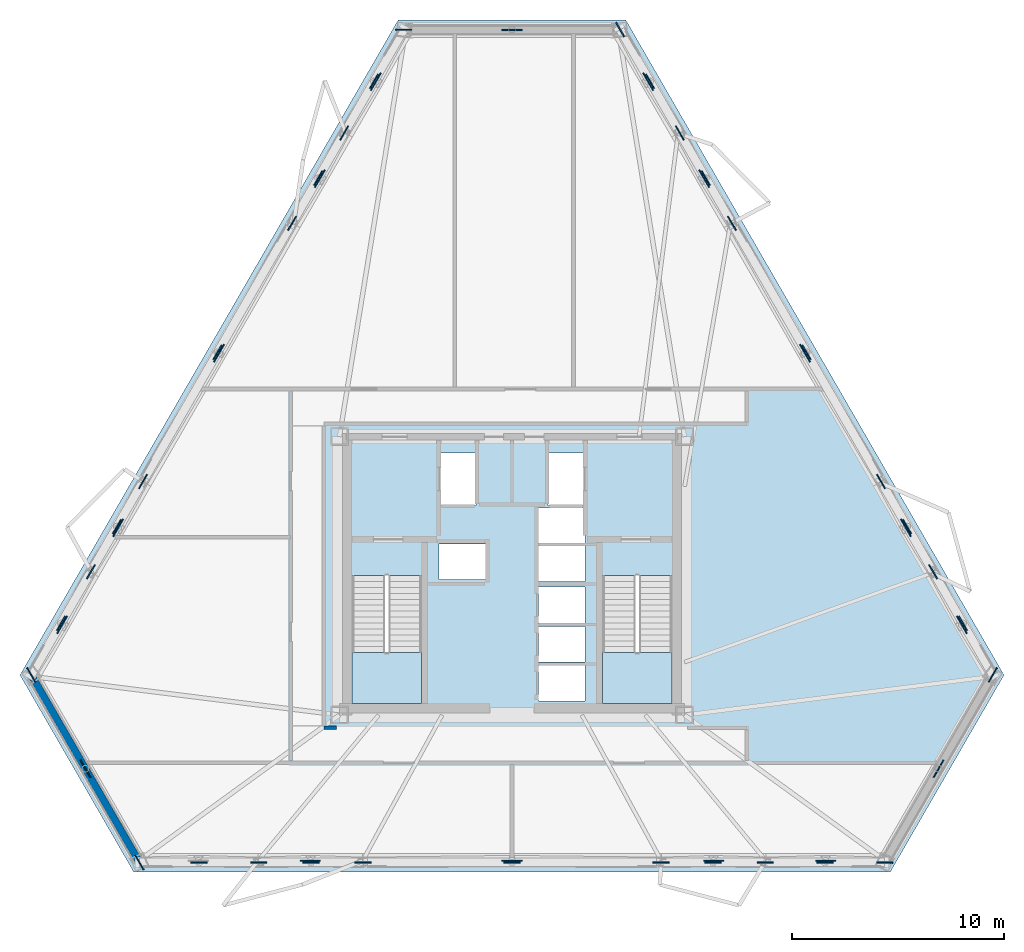
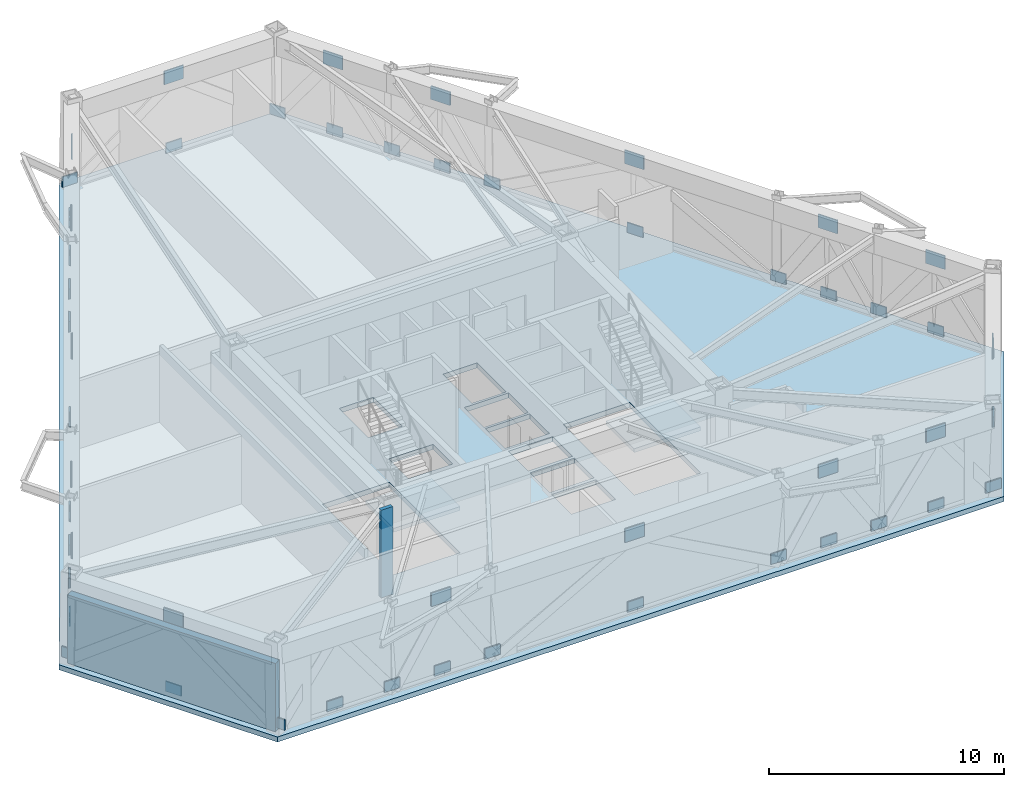
# One storey, part 6 of 11: 53 plates, 3 slabs, 2 walls, 2 elements without a shape of their own.
"""IFC4 building model written with IfcOpenShell, lengths in metres."""

from ifc_helpers import new_model, si_unit, direction, frame, frame_2d, origin, origin_2d, place, context, subcontext, project, spatial, polyline, rectangle, outline, extrude, material, layer, layer_set, type_object, element, aggregate, save


model = new_model("IFC4")

# Units and contexts
model_context = context("Model", 3, precision=1e-05, world=origin(), true_north=direction((0.0, 1.0)))
body_context = subcontext(model_context, "Body", "Model", "MODEL_VIEW")
ifc_project = project(units=[si_unit("LENGTHUNIT", "METRE"), si_unit("AREAUNIT", "SQUARE_METRE"), si_unit("VOLUMEUNIT", "CUBIC_METRE"), si_unit("PLANEANGLEUNIT", "RADIAN"), si_unit("MASSUNIT", "GRAM", prefix="KILO")], contexts=[model_context])

# Site, building, storey
site_placement = place(None, origin())
site = spatial("IfcSite", under=ifc_project, at=site_placement, CompositionType="ELEMENT")
building_placement = place(site_placement, origin())
building = spatial("IfcBuilding", under=site, at=building_placement, Name="Oramaril Tower", CompositionType="ELEMENT")
storey_placement = place(building_placement, frame((0.0, 0.0, 133.800048828125)))
storey = spatial("IfcBuildingStorey", under=building, at=storey_placement, Name="L35", CompositionType="ELEMENT", Elevation=133.800048828125)

# Plates
ifc_material_1 = material(Name="Steel ASTM A572 Gr 50", Category="steel")
ifc_layer_1 = layer(ifc_material_1, 0.06005859375)
ifc_layer_set_1 = layer_set([ifc_layer_1], Name="PLT-G60")
plate_type = type_object("IfcPlateType", Name="PLT-G60", PredefinedType="USERDEFINED", material=ifc_layer_set_1)
plate_1_placement = place(storey_placement, frame((17.356689453125, 8.47021484375, 3.7099609375), z_axis=(0.0, 0.0, 1.0), x_axis=(0.499996976998, -0.866027149108, 0.0)))
element("IfcPlate", 1, at=plate_1_placement, inside=storey, type_object=plate_type, Name="L35 Truss Top Gusset Node KN-35A", ObjectType="GUSSET", PredefinedType="USERDEFINED", context=body_context, shape_type="SweptSolid", body=[
    extrude(rectangle(XDim=0.949951171875, YDim=0.06005859375, at=origin_2d()), origin(), (0.0, 0.0, 1.0), 0.699951171875),
])
plate_2_placement = place(storey_placement, frame((17.3486328125, 8.465576171875, 0.10986328125), z_axis=(0.0, 0.0, 1.0), x_axis=(0.499996976998, -0.866027149108, 0.0)))
element("IfcPlate", 2, at=plate_2_placement, inside=storey, type_object=plate_type, Name="L35 Truss Mid-Chord Gusset Node KN-35A", ObjectType="GUSSET", PredefinedType="USERDEFINED", context=body_context, shape_type="SweptSolid", body=[
    extrude(rectangle(XDim=0.780029296875, YDim=0.06005859375, at=origin_2d()), origin(), (0.0, 0.0, 1.0), 0.52001953125),
])
for number, where, z_axis, x_axis, name in (
    (3, (14.7939453125, 12.890380859375, 0.119873046875), (0.0, 0.0, 1.0), (0.499996976998, -0.866027149108, 0.0), "L35 Truss Base Gusset Node KN-35A"),
    (4, (19.9033203125, 4.040771484375, 0.119873046875), (0.0, 0.0, 1.0), (0.499996976998, -0.866027149108, 0.0), "L35 Truss Base Gusset Node KN-35A"),
):
    element("IfcPlate", number, at=place(storey_placement, frame(where, z_axis=z_axis, x_axis=x_axis)), inside=storey, type_object=plate_type, Name=name, ObjectType="GUSSET", PredefinedType="USERDEFINED", context=body_context, shape_type="SweptSolid", body=[
        extrude(rectangle(XDim=0.760009765625, YDim=0.06005859375, at=origin_2d()), origin(), (0.0, 0.0, 1.0), 0.5400390625),
    ])
plate_3_placement = place(storey_placement, frame((22.71875, 4.040771484375, 0.10986328125), z_axis=(0.0, 0.0, 1.0), x_axis=(1.0, 0.0, 0.0)))
element("IfcPlate", 5, at=plate_3_placement, inside=storey, type_object=plate_type, Name="L35 Truss Mid-Chord Gusset Node KN-35A", ObjectType="GUSSET", PredefinedType="USERDEFINED", context=body_context, shape_type="SweptSolid", body=[
    extrude(rectangle(XDim=0.780029296875, YDim=0.06005859375, at=origin_2d()), origin(), (0.0, 0.0, 1.0), 0.52001953125),
])
plate_4_placement = place(storey_placement, frame((25.5341796875, 4.040771484375, 0.119873046875), z_axis=(0.0, 0.0, 1.0), x_axis=(1.0, 0.0, 0.0)))
element("IfcPlate", 6, at=plate_4_placement, inside=storey, type_object=plate_type, Name="L35 Truss Base Gusset Node KN-35A", ObjectType="GUSSET", PredefinedType="USERDEFINED", context=body_context, shape_type="SweptSolid", body=[
    extrude(rectangle(XDim=0.760009765625, YDim=0.06005859375, at=origin_2d()), origin(), (0.0, 0.0, 1.0), 0.5400390625),
])
plate_5_placement = place(storey_placement, frame((27.978759765625, 4.120849609375, 3.7099609375), z_axis=(0.0, 0.0, 1.0), x_axis=(1.0, 0.0, 0.0)))
element("IfcPlate", 7, at=plate_5_placement, inside=storey, type_object=plate_type, Name="L35 Truss Top Gusset Node KN-35A", ObjectType="GUSSET", PredefinedType="USERDEFINED", context=body_context, shape_type="SweptSolid", body=[
    extrude(rectangle(XDim=0.949951171875, YDim=0.06005859375, at=origin_2d()), origin(), (0.0, 0.0, 1.0), 0.699951171875),
])
plate_6_placement = place(storey_placement, frame((27.997802734375, 4.040771484375, 0.10986328125), z_axis=(0.0, 0.0, 1.0), x_axis=(1.0, 0.0, 0.0)))
element("IfcPlate", 8, at=plate_6_placement, inside=storey, type_object=plate_type, Name="L35 Truss Mid-Chord Gusset Node KN-35A", ObjectType="GUSSET", PredefinedType="USERDEFINED", context=body_context, shape_type="SweptSolid", body=[
    extrude(rectangle(XDim=0.780029296875, YDim=0.06005859375, at=origin_2d()), origin(), (0.0, 0.0, 1.0), 0.52001953125),
])
plate_7_placement = place(storey_placement, frame((30.461181640625, 4.040771484375, 0.119873046875), z_axis=(0.0, 0.0, 1.0), x_axis=(1.0, 0.0, 0.0)))
element("IfcPlate", 9, at=plate_7_placement, inside=storey, type_object=plate_type, Name="L35 Truss Base Gusset Node KN-35A", ObjectType="GUSSET", PredefinedType="USERDEFINED", context=body_context, shape_type="SweptSolid", body=[
    extrude(rectangle(XDim=0.760009765625, YDim=0.06005859375, at=origin_2d()), origin(), (0.0, 0.0, 1.0), 0.5400390625),
])
plate_8_placement = place(storey_placement, frame((37.5, 4.120849609375, 3.7099609375), z_axis=(0.0, 0.0, 1.0), x_axis=(1.0, 0.0, 0.0)))
element("IfcPlate", 10, at=plate_8_placement, inside=storey, type_object=plate_type, Name="L35 Truss Top Gusset Node KN-35A", ObjectType="GUSSET", PredefinedType="USERDEFINED", context=body_context, shape_type="SweptSolid", body=[
    extrude(rectangle(XDim=0.949951171875, YDim=0.06005859375, at=origin_2d()), origin(), (0.0, 0.0, 1.0), 0.699951171875),
])
plate_9_placement = place(storey_placement, frame((37.5, 4.040771484375, 0.10986328125), z_axis=(0.0, 0.0, 1.0), x_axis=(1.0, 0.0, 0.0)))
element("IfcPlate", 11, at=plate_9_placement, inside=storey, type_object=plate_type, Name="L35 Truss Mid-Chord Gusset Node KN-35A", ObjectType="GUSSET", PredefinedType="USERDEFINED", context=body_context, shape_type="SweptSolid", body=[
    extrude(rectangle(XDim=0.780029296875, YDim=0.06005859375, at=origin_2d()), origin(), (0.0, 0.0, 1.0), 0.52001953125),
])
plate_10_placement = place(storey_placement, frame((44.538818359375, 4.040771484375, 0.119873046875), z_axis=(0.0, 0.0, 1.0), x_axis=(1.0, 0.0, 0.0)))
element("IfcPlate", 12, at=plate_10_placement, inside=storey, type_object=plate_type, Name="L35 Truss Base Gusset Node KN-35A", ObjectType="GUSSET", PredefinedType="USERDEFINED", context=body_context, shape_type="SweptSolid", body=[
    extrude(rectangle(XDim=0.760009765625, YDim=0.06005859375, at=origin_2d()), origin(), (0.0, 0.0, 1.0), 0.5400390625),
])
plate_11_placement = place(storey_placement, frame((47.021240234375, 4.120849609375, 3.7099609375), z_axis=(0.0, 0.0, 1.0), x_axis=(1.0, 0.0, 0.0)))
element("IfcPlate", 13, at=plate_11_placement, inside=storey, type_object=plate_type, Name="L35 Truss Top Gusset Node KN-35A", ObjectType="GUSSET", PredefinedType="USERDEFINED", context=body_context, shape_type="SweptSolid", body=[
    extrude(rectangle(XDim=0.949951171875, YDim=0.06005859375, at=origin_2d()), origin(), (0.0, 0.0, 1.0), 0.699951171875),
])
plate_12_placement = place(storey_placement, frame((47.002197265625, 4.040771484375, 0.10986328125), z_axis=(0.0, 0.0, 1.0), x_axis=(1.0, 0.0, 0.0)))
element("IfcPlate", 14, at=plate_12_placement, inside=storey, type_object=plate_type, Name="L35 Truss Mid-Chord Gusset Node KN-35A", ObjectType="GUSSET", PredefinedType="USERDEFINED", context=body_context, shape_type="SweptSolid", body=[
    extrude(rectangle(XDim=0.780029296875, YDim=0.06005859375, at=origin_2d()), origin(), (0.0, 0.0, 1.0), 0.52001953125),
])
plate_13_placement = place(storey_placement, frame((49.4658203125, 4.040771484375, 0.119873046875), z_axis=(0.0, 0.0, 1.0), x_axis=(1.0, 0.0, 0.0)))
element("IfcPlate", 15, at=plate_13_placement, inside=storey, type_object=plate_type, Name="L35 Truss Base Gusset Node KN-35A", ObjectType="GUSSET", PredefinedType="USERDEFINED", context=body_context, shape_type="SweptSolid", body=[
    extrude(rectangle(XDim=0.760009765625, YDim=0.06005859375, at=origin_2d()), origin(), (0.0, 0.0, 1.0), 0.5400390625),
])
plate_14_placement = place(storey_placement, frame((52.31103515625, 4.120849609375, 3.7099609375), z_axis=(0.0, 0.0, 1.0), x_axis=(1.0, 0.0, 0.0)))
element("IfcPlate", 16, at=plate_14_placement, inside=storey, type_object=plate_type, Name="L35 Truss Top Gusset Node KN-35A", ObjectType="GUSSET", PredefinedType="USERDEFINED", context=body_context, shape_type="SweptSolid", body=[
    extrude(rectangle(XDim=0.949951171875, YDim=0.06005859375, at=origin_2d()), origin(), (0.0, 0.0, 1.0), 0.699951171875),
])
plate_15_placement = place(storey_placement, frame((52.28125, 4.040771484375, 0.10986328125), z_axis=(0.0, 0.0, 1.0), x_axis=(1.0, 0.0, 0.0)))
element("IfcPlate", 17, at=plate_15_placement, inside=storey, type_object=plate_type, Name="L35 Truss Mid-Chord Gusset Node KN-35A", ObjectType="GUSSET", PredefinedType="USERDEFINED", context=body_context, shape_type="SweptSolid", body=[
    extrude(rectangle(XDim=0.780029296875, YDim=0.06005859375, at=origin_2d()), origin(), (0.0, 0.0, 1.0), 0.52001953125),
])
plate_16_placement = place(storey_placement, frame((55.0966796875, 4.040771484375, 0.119873046875), z_axis=(0.0, 0.0, 1.0), x_axis=(1.0, 0.0, 0.0)))
element("IfcPlate", 18, at=plate_16_placement, inside=storey, type_object=plate_type, Name="L35 Truss Base Gusset Node KN-35A", ObjectType="GUSSET", PredefinedType="USERDEFINED", context=body_context, shape_type="SweptSolid", body=[
    extrude(rectangle(XDim=0.760009765625, YDim=0.06005859375, at=origin_2d()), origin(), (0.0, 0.0, 1.0), 0.5400390625),
])
plate_17_placement = place(storey_placement, frame((57.643310546875, 8.47021484375, 3.7099609375), z_axis=(0.0, 0.0, 1.0), x_axis=(0.499996976998, 0.866027149108, 0.0)))
element("IfcPlate", 19, at=plate_17_placement, inside=storey, type_object=plate_type, Name="L35 Truss Top Gusset Node KN-35B", ObjectType="GUSSET", PredefinedType="USERDEFINED", context=body_context, shape_type="SweptSolid", body=[
    extrude(rectangle(XDim=0.949951171875, YDim=0.06005859375, at=origin_2d()), origin(), (0.0, 0.0, 1.0), 0.699951171875),
])
plate_18_placement = place(storey_placement, frame((57.6513671875, 8.465576171875, 0.10986328125), z_axis=(0.0, 0.0, 1.0), x_axis=(0.499996976998, 0.866027149108, 0.0)))
element("IfcPlate", 20, at=plate_18_placement, inside=storey, type_object=plate_type, Name="L35 Truss Mid-Chord Gusset Node KN-35B", ObjectType="GUSSET", PredefinedType="USERDEFINED", context=body_context, shape_type="SweptSolid", body=[
    extrude(rectangle(XDim=0.780029296875, YDim=0.06005859375, at=origin_2d()), origin(), (0.0, 0.0, 1.0), 0.52001953125),
])
plate_19_placement = place(storey_placement, frame((60.2060546875, 12.890380859375, 0.119873046875), z_axis=(0.0, 0.0, 1.0), x_axis=(0.499996976998, 0.866027149108, 0.0)))
element("IfcPlate", 21, at=plate_19_placement, inside=storey, type_object=plate_type, Name="L35 Truss Base Gusset Node KN-35B", ObjectType="GUSSET", PredefinedType="USERDEFINED", context=body_context, shape_type="SweptSolid", body=[
    extrude(rectangle(XDim=0.760009765625, YDim=0.06005859375, at=origin_2d()), origin(), (0.0, 0.0, 1.0), 0.5400390625),
])
plate_20_placement = place(storey_placement, frame((58.743896484375, 15.262939453125, 3.7099609375), z_axis=(0.0, 0.0, 1.0), x_axis=(-0.500007557478, 0.866021040428, 0.0)))
element("IfcPlate", 22, at=plate_20_placement, inside=storey, type_object=plate_type, Name="L35 Truss Top Gusset Node KN-35B", ObjectType="GUSSET", PredefinedType="USERDEFINED", context=body_context, shape_type="SweptSolid", body=[
    extrude(rectangle(XDim=0.949951171875, YDim=0.06005859375, at=origin_2d()), origin(), (0.0, 0.0, 1.0), 0.699951171875),
])
plate_21_placement = place(storey_placement, frame((58.79833984375, 15.32861328125, 0.10986328125), z_axis=(0.0, 0.0, 1.0), x_axis=(-0.500007557478, 0.866021040428, 0.0)))
element("IfcPlate", 23, at=plate_21_placement, inside=storey, type_object=plate_type, Name="L35 Truss Mid-Chord Gusset Node KN-35B", ObjectType="GUSSET", PredefinedType="USERDEFINED", context=body_context, shape_type="SweptSolid", body=[
    extrude(rectangle(XDim=0.780029296875, YDim=0.06005859375, at=origin_2d()), origin(), (0.0, 0.0, 1.0), 0.52001953125),
])
plate_22_placement = place(storey_placement, frame((57.390625, 17.76708984375, 0.119873046875), z_axis=(0.0, 0.0, 1.0), x_axis=(-0.500007557478, 0.866021040428, 0.0)))
element("IfcPlate", 24, at=plate_22_placement, inside=storey, type_object=plate_type, Name="L35 Truss Base Gusset Node KN-35B", ObjectType="GUSSET", PredefinedType="USERDEFINED", context=body_context, shape_type="SweptSolid", body=[
    extrude(rectangle(XDim=0.760009765625, YDim=0.06005859375, at=origin_2d()), origin(), (0.0, 0.0, 1.0), 0.5400390625),
])
plate_23_placement = place(storey_placement, frame((56.09912109375, 19.843994140625, 3.7099609375), z_axis=(0.0, 0.0, 1.0), x_axis=(-0.499992442484, 0.866029767075, 0.0)))
element("IfcPlate", 25, at=plate_23_placement, inside=storey, type_object=plate_type, Name="L35 Truss Top Gusset Node KN-35B", ObjectType="GUSSET", PredefinedType="USERDEFINED", context=body_context, shape_type="SweptSolid", body=[
    extrude(rectangle(XDim=0.949951171875, YDim=0.06005859375, at=origin_2d()), origin(), (0.0, 0.0, 1.0), 0.699951171875),
])
plate_24_placement = place(storey_placement, frame((56.158935546875, 19.900390625, 0.10986328125), z_axis=(0.0, 0.0, 1.0), x_axis=(-0.499992442484, 0.866029767075, 0.0)))
element("IfcPlate", 26, at=plate_24_placement, inside=storey, type_object=plate_type, Name="L35 Truss Mid-Chord Gusset Node KN-35B", ObjectType="GUSSET", PredefinedType="USERDEFINED", context=body_context, shape_type="SweptSolid", body=[
    extrude(rectangle(XDim=0.780029296875, YDim=0.06005859375, at=origin_2d()), origin(), (0.0, 0.0, 1.0), 0.52001953125),
])
plate_25_placement = place(storey_placement, frame((54.927001953125, 22.033935546875, 0.119873046875), z_axis=(0.0, 0.0, 1.0), x_axis=(-0.499992442484, 0.866029767075, 0.0)))
element("IfcPlate", 27, at=plate_25_placement, inside=storey, type_object=plate_type, Name="L35 Truss Base Gusset Node KN-35B", ObjectType="GUSSET", PredefinedType="USERDEFINED", context=body_context, shape_type="SweptSolid", body=[
    extrude(rectangle(XDim=0.760009765625, YDim=0.06005859375, at=origin_2d()), origin(), (0.0, 0.0, 1.0), 0.5400390625),
])
plate_26_placement = place(storey_placement, frame((51.33837890625, 28.089599609375, 3.7099609375), z_axis=(0.0, 0.0, 1.0), x_axis=(-0.500003022996, 0.86602365845, 0.0)))
element("IfcPlate", 28, at=plate_26_placement, inside=storey, type_object=plate_type, Name="L35 Truss Top Gusset Node KN-35B", ObjectType="GUSSET", PredefinedType="USERDEFINED", context=body_context, shape_type="SweptSolid", body=[
    extrude(rectangle(XDim=0.949951171875, YDim=0.06005859375, at=origin_2d()), origin(), (0.0, 0.0, 1.0), 0.699951171875),
])
plate_27_placement = place(storey_placement, frame((51.40771484375, 28.129638671875, 0.10986328125), z_axis=(0.0, 0.0, 1.0), x_axis=(-0.500003022996, 0.86602365845, 0.0)))
element("IfcPlate", 29, at=plate_27_placement, inside=storey, type_object=plate_type, Name="L35 Truss Mid-Chord Gusset Node KN-35B", ObjectType="GUSSET", PredefinedType="USERDEFINED", context=body_context, shape_type="SweptSolid", body=[
    extrude(rectangle(XDim=0.780029296875, YDim=0.06005859375, at=origin_2d()), origin(), (0.0, 0.0, 1.0), 0.52001953125),
])
plate_28_placement = place(storey_placement, frame((47.888427734375, 34.225341796875, 0.119873046875), z_axis=(0.0, 0.0, 1.0), x_axis=(-0.500003022996, 0.86602365845, 0.0)))
element("IfcPlate", 30, at=plate_28_placement, inside=storey, type_object=plate_type, Name="L35 Truss Base Gusset Node KN-35B", ObjectType="GUSSET", PredefinedType="USERDEFINED", context=body_context, shape_type="SweptSolid", body=[
    extrude(rectangle(XDim=0.760009765625, YDim=0.06005859375, at=origin_2d()), origin(), (0.0, 0.0, 1.0), 0.5400390625),
])
plate_29_placement = place(storey_placement, frame((46.57763671875, 36.33544921875, 3.7099609375), z_axis=(0.0, 0.0, 1.0), x_axis=(-0.499992442484, 0.866029767075, 0.0)))
element("IfcPlate", 31, at=plate_29_placement, inside=storey, type_object=plate_type, Name="L35 Truss Top Gusset Node KN-35B", ObjectType="GUSSET", PredefinedType="USERDEFINED", context=body_context, shape_type="SweptSolid", body=[
    extrude(rectangle(XDim=0.949951171875, YDim=0.06005859375, at=origin_2d()), origin(), (0.0, 0.0, 1.0), 0.699951171875),
])
plate_30_placement = place(storey_placement, frame((46.656494140625, 36.35888671875, 0.10986328125), z_axis=(0.0, 0.0, 1.0), x_axis=(-0.499992442484, 0.866029767075, 0.0)))
element("IfcPlate", 32, at=plate_30_placement, inside=storey, type_object=plate_type, Name="L35 Truss Mid-Chord Gusset Node KN-35B", ObjectType="GUSSET", PredefinedType="USERDEFINED", context=body_context, shape_type="SweptSolid", body=[
    extrude(rectangle(XDim=0.780029296875, YDim=0.06005859375, at=origin_2d()), origin(), (0.0, 0.0, 1.0), 0.52001953125),
])
plate_31_placement = place(storey_placement, frame((45.4248046875, 38.4921875, 0.119873046875), z_axis=(0.0, 0.0, 1.0), x_axis=(-0.499992442484, 0.866029767075, 0.0)))
element("IfcPlate", 33, at=plate_31_placement, inside=storey, type_object=plate_type, Name="L35 Truss Base Gusset Node KN-35B", ObjectType="GUSSET", PredefinedType="USERDEFINED", context=body_context, shape_type="SweptSolid", body=[
    extrude(rectangle(XDim=0.760009765625, YDim=0.06005859375, at=origin_2d()), origin(), (0.0, 0.0, 1.0), 0.5400390625),
])
plate_32_placement = place(storey_placement, frame((43.932861328125, 40.916259765625, 3.7099609375), z_axis=(0.0, 0.0, 1.0), x_axis=(-0.500007557478, 0.866021040428, 0.0)))
element("IfcPlate", 34, at=plate_32_placement, inside=storey, type_object=plate_type, Name="L35 Truss Top Gusset Node KN-35B", ObjectType="GUSSET", PredefinedType="USERDEFINED", context=body_context, shape_type="SweptSolid", body=[
    extrude(rectangle(XDim=0.949951171875, YDim=0.06005859375, at=origin_2d()), origin(), (0.0, 0.0, 1.0), 0.699951171875),
])
plate_33_placement = place(storey_placement, frame((44.01708984375, 40.930419921875, 0.10986328125), z_axis=(0.0, 0.0, 1.0), x_axis=(-0.500007557478, 0.866021040428, 0.0)))
element("IfcPlate", 35, at=plate_33_placement, inside=storey, type_object=plate_type, Name="L35 Truss Mid-Chord Gusset Node KN-35B", ObjectType="GUSSET", PredefinedType="USERDEFINED", context=body_context, shape_type="SweptSolid", body=[
    extrude(rectangle(XDim=0.780029296875, YDim=0.06005859375, at=origin_2d()), origin(), (0.0, 0.0, 1.0), 0.52001953125),
])
plate_34_placement = place(storey_placement, frame((42.609375, 43.368896484375, 0.119873046875), z_axis=(0.0, 0.0, 1.0), x_axis=(-0.500007557478, 0.866021040428, 0.0)))
element("IfcPlate", 36, at=plate_34_placement, inside=storey, type_object=plate_type, Name="L35 Truss Base Gusset Node KN-35B", ObjectType="GUSSET", PredefinedType="USERDEFINED", context=body_context, shape_type="SweptSolid", body=[
    extrude(rectangle(XDim=0.760009765625, YDim=0.06005859375, at=origin_2d()), origin(), (0.0, 0.0, 1.0), 0.5400390625),
])
plate_35_placement = place(storey_placement, frame((37.5, 43.359619140625, 3.7099609375), z_axis=(0.0, 0.0, 1.0), x_axis=(-1.0, 0.0, 0.0)))
element("IfcPlate", 37, at=plate_35_placement, inside=storey, type_object=plate_type, Name="L35 Truss Top Gusset Node KN-35C", ObjectType="GUSSET", PredefinedType="USERDEFINED", context=body_context, shape_type="SweptSolid", body=[
    extrude(rectangle(XDim=0.949951171875, YDim=0.06005859375, at=origin_2d()), origin(), (0.0, 0.0, 1.0), 0.699951171875),
])
plate_36_placement = place(storey_placement, frame((37.5, 43.368896484375, 0.10986328125), z_axis=(0.0, 0.0, 1.0), x_axis=(-1.0, 0.0, 0.0)))
element("IfcPlate", 38, at=plate_36_placement, inside=storey, type_object=plate_type, Name="L35 Truss Mid-Chord Gusset Node KN-35C", ObjectType="GUSSET", PredefinedType="USERDEFINED", context=body_context, shape_type="SweptSolid", body=[
    extrude(rectangle(XDim=0.780029296875, YDim=0.06005859375, at=origin_2d()), origin(), (0.0, 0.0, 1.0), 0.52001953125),
])
plate_37_placement = place(storey_placement, frame((32.390625, 43.368896484375, 0.119873046875), z_axis=(0.0, 0.0, 1.0), x_axis=(-1.0, 0.0, 0.0)))
element("IfcPlate", 39, at=plate_37_placement, inside=storey, type_object=plate_type, Name="L35 Truss Base Gusset Node KN-35C", ObjectType="GUSSET", PredefinedType="USERDEFINED", context=body_context, shape_type="SweptSolid", body=[
    extrude(rectangle(XDim=0.760009765625, YDim=0.06005859375, at=origin_2d()), origin(), (0.0, 0.0, 1.0), 0.5400390625),
])
plate_38_placement = place(storey_placement, frame((31.067138671875, 40.916259765625, 3.7099609375), z_axis=(0.0, 0.0, 1.0), x_axis=(-0.500007557478, -0.866021040428, 0.0)))
element("IfcPlate", 40, at=plate_38_placement, inside=storey, type_object=plate_type, Name="L35 Truss Top Gusset Node KN-35C", ObjectType="GUSSET", PredefinedType="USERDEFINED", context=body_context, shape_type="SweptSolid", body=[
    extrude(rectangle(XDim=0.949951171875, YDim=0.06005859375, at=origin_2d()), origin(), (0.0, 0.0, 1.0), 0.699951171875),
])
plate_39_placement = place(storey_placement, frame((30.98291015625, 40.930419921875, 0.10986328125), z_axis=(0.0, 0.0, 1.0), x_axis=(-0.500007557478, -0.866021040428, 0.0)))
element("IfcPlate", 41, at=plate_39_placement, inside=storey, type_object=plate_type, Name="L35 Truss Mid-Chord Gusset Node KN-35C", ObjectType="GUSSET", PredefinedType="USERDEFINED", context=body_context, shape_type="SweptSolid", body=[
    extrude(rectangle(XDim=0.780029296875, YDim=0.06005859375, at=origin_2d()), origin(), (0.0, 0.0, 1.0), 0.52001953125),
])
plate_40_placement = place(storey_placement, frame((29.5751953125, 38.4921875, 0.119873046875), z_axis=(0.0, 0.0, 1.0), x_axis=(-0.500007557478, -0.866021040428, 0.0)))
element("IfcPlate", 42, at=plate_40_placement, inside=storey, type_object=plate_type, Name="L35 Truss Base Gusset Node KN-35C", ObjectType="GUSSET", PredefinedType="USERDEFINED", context=body_context, shape_type="SweptSolid", body=[
    extrude(rectangle(XDim=0.760009765625, YDim=0.06005859375, at=origin_2d()), origin(), (0.0, 0.0, 1.0), 0.5400390625),
])
plate_41_placement = place(storey_placement, frame((28.422119140625, 36.33544921875, 3.7099609375), z_axis=(0.0, 0.0, 1.0), x_axis=(-0.499992442484, -0.866029767075, 0.0)))
element("IfcPlate", 43, at=plate_41_placement, inside=storey, type_object=plate_type, Name="L35 Truss Top Gusset Node KN-35C", ObjectType="GUSSET", PredefinedType="USERDEFINED", context=body_context, shape_type="SweptSolid", body=[
    extrude(rectangle(XDim=0.949951171875, YDim=0.06005859375, at=origin_2d()), origin(), (0.0, 0.0, 1.0), 0.699951171875),
])
plate_42_placement = place(storey_placement, frame((28.343505859375, 36.35888671875, 0.10986328125), z_axis=(0.0, 0.0, 1.0), x_axis=(-0.499992442484, -0.866029767075, 0.0)))
element("IfcPlate", 44, at=plate_42_placement, inside=storey, type_object=plate_type, Name="L35 Truss Mid-Chord Gusset Node KN-35C", ObjectType="GUSSET", PredefinedType="USERDEFINED", context=body_context, shape_type="SweptSolid", body=[
    extrude(rectangle(XDim=0.780029296875, YDim=0.06005859375, at=origin_2d()), origin(), (0.0, 0.0, 1.0), 0.52001953125),
])
plate_43_placement = place(storey_placement, frame((27.111572265625, 34.225341796875, 0.119873046875), z_axis=(0.0, 0.0, 1.0), x_axis=(-0.499992442484, -0.866029767075, 0.0)))
element("IfcPlate", 45, at=plate_43_placement, inside=storey, type_object=plate_type, Name="L35 Truss Base Gusset Node KN-35C", ObjectType="GUSSET", PredefinedType="USERDEFINED", context=body_context, shape_type="SweptSolid", body=[
    extrude(rectangle(XDim=0.760009765625, YDim=0.06005859375, at=origin_2d()), origin(), (0.0, 0.0, 1.0), 0.5400390625),
])
plate_44_placement = place(storey_placement, frame((23.66162109375, 28.089599609375, 3.7099609375), z_axis=(0.0, 0.0, 1.0), x_axis=(-0.500003022996, -0.86602365845, 0.0)))
element("IfcPlate", 46, at=plate_44_placement, inside=storey, type_object=plate_type, Name="L35 Truss Top Gusset Node KN-35C", ObjectType="GUSSET", PredefinedType="USERDEFINED", context=body_context, shape_type="SweptSolid", body=[
    extrude(rectangle(XDim=0.949951171875, YDim=0.06005859375, at=origin_2d()), origin(), (0.0, 0.0, 1.0), 0.699951171875),
])
plate_45_placement = place(storey_placement, frame((23.59228515625, 28.129638671875, 0.10986328125), z_axis=(0.0, 0.0, 1.0), x_axis=(-0.500003022996, -0.86602365845, 0.0)))
element("IfcPlate", 47, at=plate_45_placement, inside=storey, type_object=plate_type, Name="L35 Truss Mid-Chord Gusset Node KN-35C", ObjectType="GUSSET", PredefinedType="USERDEFINED", context=body_context, shape_type="SweptSolid", body=[
    extrude(rectangle(XDim=0.780029296875, YDim=0.06005859375, at=origin_2d()), origin(), (0.0, 0.0, 1.0), 0.52001953125),
])
plate_46_placement = place(storey_placement, frame((20.072998046875, 22.033935546875, 0.119873046875), z_axis=(0.0, 0.0, 1.0), x_axis=(-0.500003022996, -0.86602365845, 0.0)))
element("IfcPlate", 48, at=plate_46_placement, inside=storey, type_object=plate_type, Name="L35 Truss Base Gusset Node KN-35C", ObjectType="GUSSET", PredefinedType="USERDEFINED", context=body_context, shape_type="SweptSolid", body=[
    extrude(rectangle(XDim=0.760009765625, YDim=0.06005859375, at=origin_2d()), origin(), (0.0, 0.0, 1.0), 0.5400390625),
])
plate_47_placement = place(storey_placement, frame((18.90087890625, 19.843994140625, 3.7099609375), z_axis=(0.0, 0.0, 1.0), x_axis=(-0.499992442484, -0.866029767075, 0.0)))
element("IfcPlate", 49, at=plate_47_placement, inside=storey, type_object=plate_type, Name="L35 Truss Top Gusset Node KN-35C", ObjectType="GUSSET", PredefinedType="USERDEFINED", context=body_context, shape_type="SweptSolid", body=[
    extrude(rectangle(XDim=0.949951171875, YDim=0.06005859375, at=origin_2d()), origin(), (0.0, 0.0, 1.0), 0.699951171875),
])
plate_48_placement = place(storey_placement, frame((18.841064453125, 19.900390625, 0.10986328125), z_axis=(0.0, 0.0, 1.0), x_axis=(-0.499992442484, -0.866029767075, 0.0)))
element("IfcPlate", 50, at=plate_48_placement, inside=storey, type_object=plate_type, Name="L35 Truss Mid-Chord Gusset Node KN-35C", ObjectType="GUSSET", PredefinedType="USERDEFINED", context=body_context, shape_type="SweptSolid", body=[
    extrude(rectangle(XDim=0.780029296875, YDim=0.06005859375, at=origin_2d()), origin(), (0.0, 0.0, 1.0), 0.52001953125),
])
plate_49_placement = place(storey_placement, frame((17.609375, 17.76708984375, 0.119873046875), z_axis=(0.0, 0.0, 1.0), x_axis=(-0.499992442484, -0.866029767075, 0.0)))
element("IfcPlate", 51, at=plate_49_placement, inside=storey, type_object=plate_type, Name="L35 Truss Base Gusset Node KN-35C", ObjectType="GUSSET", PredefinedType="USERDEFINED", context=body_context, shape_type="SweptSolid", body=[
    extrude(rectangle(XDim=0.760009765625, YDim=0.06005859375, at=origin_2d()), origin(), (0.0, 0.0, 1.0), 0.5400390625),
])
plate_50_placement = place(storey_placement, frame((16.256103515625, 15.262939453125, 3.7099609375), z_axis=(0.0, 0.0, 1.0), x_axis=(-0.500007557478, -0.866021040428, 0.0)))
element("IfcPlate", 52, at=plate_50_placement, inside=storey, type_object=plate_type, Name="L35 Truss Top Gusset Node KN-35C", ObjectType="GUSSET", PredefinedType="USERDEFINED", context=body_context, shape_type="SweptSolid", body=[
    extrude(rectangle(XDim=0.949951171875, YDim=0.06005859375, at=origin_2d()), origin(), (0.0, 0.0, 1.0), 0.699951171875),
])
plate_51_placement = place(storey_placement, frame((16.20166015625, 15.32861328125, 0.10986328125), z_axis=(0.0, 0.0, 1.0), x_axis=(-0.500007557478, -0.866021040428, 0.0)))
element("IfcPlate", 53, at=plate_51_placement, inside=storey, type_object=plate_type, Name="L35 Truss Mid-Chord Gusset Node KN-35C", ObjectType="GUSSET", PredefinedType="USERDEFINED", context=body_context, shape_type="SweptSolid", body=[
    extrude(rectangle(XDim=0.780029296875, YDim=0.06005859375, at=origin_2d()), origin(), (0.0, 0.0, 1.0), 0.52001953125),
])

# Stair, slab
ifc_material_2 = material(Name="Concrete C50/60", Category="concrete")
stair_type = type_object("IfcStairType", Name="STT-DG-4800", PredefinedType="HALF_TURN_STAIR", material=ifc_material_2)
stair_1_placement = place(storey_placement, origin())
stair_1 = element("IfcStair", 54, at=stair_1_placement, inside=storey, type_object=stair_type, Name="L35 Protected PFP Exit Stair ST-1", PredefinedType="HALF_TURN_STAIR")
ifc_material_3 = material(Name="Concrete C50/60", Category="concrete")
ifc_layer_2 = layer(ifc_material_3, 0.199951171875)
ifc_layer_set_2 = layer_set([ifc_layer_2], Name="SLT-LND20")
slab_type_1 = type_object("IfcSlabType", Name="SLT-LND20", PredefinedType="LANDING", material=ifc_layer_set_2)
slab_1_placement = place(storey_placement, frame((0.0, 0.0, 2.199951171875)))
slab_1 = element("IfcSlab", 55, at=slab_1_placement, type_object=slab_type_1, Name="ST-1 landing 1", PredefinedType="LANDING", context=body_context, shape_type="SweptSolid", body=[
    extrude(outline(polyline([(29.949951171875, 13.949951171875), (29.949951171875, 11.550048828125), (33.219970703125, 11.550048828125), (33.219970703125, 13.949951171875), (29.949951171875, 13.949951171875)])), origin(), (0.0, 0.0, 1.0), 0.199951171875),
])
aggregate(stair_1, [slab_1])

stair_2_placement = place(storey_placement, origin())
stair_2 = element("IfcStair", 56, at=stair_2_placement, inside=storey, type_object=stair_type, Name="L35 Protected PFP Exit Stair ST-2", PredefinedType="HALF_TURN_STAIR")
slab_2_placement = place(storey_placement, frame((0.0, 0.0, 2.199951171875)))
slab_2 = element("IfcSlab", 57, at=slab_2_placement, type_object=slab_type_1, Name="ST-2 landing 1", PredefinedType="LANDING", context=body_context, shape_type="SweptSolid", body=[
    extrude(outline(polyline([(41.780029296875, 13.949951171875), (41.780029296875, 11.550048828125), (45.050048828125, 11.550048828125), (45.050048828125, 13.949951171875), (41.780029296875, 13.949951171875)])), origin(), (0.0, 0.0, 1.0), 0.199951171875),
])
aggregate(stair_2, [slab_2])

# Slab
ifc_material_4 = material(Name="Concrete C50/60", Category="concrete")
ifc_layer_3 = layer(ifc_material_4, 0.260009765625)
ifc_layer_set_3 = layer_set([ifc_layer_3], Name="SLT-TRF26")
slab_type_2 = type_object("IfcSlabType", Name="SLT-TRF26", PredefinedType="FLOOR", material=ifc_layer_set_3)
slab_3_placement = place(storey_placement, frame((0.0, 0.0, -0.260009765625)))
element("IfcSlab", 58, at=slab_3_placement, inside=storey, type_object=slab_type_2, Name="L35 Structural Floor Slab", PredefinedType="FLOOR", context=body_context, shape_type="SweptSolid", body=[
    extrude(outline(polyline([(14.2626953125, 12.890380859375), (19.6376953125, 3.580810546875), (55.3623046875, 3.580810546875), (60.7373046875, 12.890380859375), (42.875, 43.828857421875), (32.125, 43.828857421875), (14.2626953125, 12.890380859375)]), holes=[polyline([(29.949951171875, 17.58935546875), (29.949951171875, 11.550048828125), (33.219970703125, 11.550048828125), (33.219970703125, 17.58935546875), (29.949951171875, 17.58935546875)]), polyline([(41.780029296875, 17.58935546875), (41.780029296875, 11.550048828125), (45.050048828125, 11.550048828125), (45.050048828125, 17.58935546875), (41.780029296875, 17.58935546875)]), polyline([(34.110107421875, 20.909912109375), (35.7900390625, 20.909912109375), (35.7900390625, 23.389892578125), (34.110107421875, 23.389892578125), (34.110107421875, 20.909912109375)]), polyline([(39.2099609375, 20.909912109375), (40.889892578125, 20.909912109375), (40.889892578125, 23.389892578125), (39.2099609375, 23.389892578125), (39.2099609375, 20.909912109375)]), polyline([(38.760009765625, 11.659912109375), (40.93994140625, 11.659912109375), (40.93994140625, 13.340087890625), (38.760009765625, 13.340087890625), (38.760009765625, 11.659912109375)]), polyline([(38.760009765625, 13.510009765625), (40.93994140625, 13.510009765625), (40.93994140625, 15.18994140625), (38.760009765625, 15.18994140625), (38.760009765625, 13.510009765625)]), polyline([(38.760009765625, 15.360107421875), (40.93994140625, 15.360107421875), (40.93994140625, 17.0400390625), (38.760009765625, 17.0400390625), (38.760009765625, 15.360107421875)]), polyline([(34.06005859375, 17.409912109375), (36.239990234375, 17.409912109375), (36.239990234375, 19.090087890625), (34.06005859375, 19.090087890625), (34.06005859375, 17.409912109375)]), polyline([(38.760009765625, 17.31005859375), (40.93994140625, 17.31005859375), (40.93994140625, 18.989990234375), (38.760009765625, 18.989990234375), (38.760009765625, 17.31005859375)]), polyline([(38.760009765625, 19.110107421875), (40.93994140625, 19.110107421875), (40.93994140625, 20.7900390625), (38.760009765625, 20.7900390625), (38.760009765625, 19.110107421875)])]), origin(), (0.0, 0.0, 1.0), 0.260009765625),
])

# Walls
ifc_material_5 = material(Name="Warm Cream Limestone", Category="masonry")
ifc_layer_4 = layer(ifc_material_5, 0.340087890625)
ifc_layer_set_4 = layer_set([ifc_layer_4], Name="WT-EXT34")
wall_type_1 = type_object("IfcWallType", Name="WT-EXT34", PredefinedType="SOLIDWALL", material=ifc_layer_set_4)
wall_1_placement = place(storey_placement, frame((14.7939453125, 12.890380859375, 0.0), z_axis=(0.0, 0.0, 1.0), x_axis=(0.500003717096, -0.866023257707, 0.0)))
element("IfcWall", 59, at=wall_1_placement, inside=storey, type_object=wall_type_1, Name="L35 Tower Limestone Facade Wall 1M", PredefinedType="SOLIDWALL", context=body_context, shape_type="SweptSolid", body=[
    extrude(rectangle(XDim=10.21875, YDim=0.340087890625, at=frame_2d((5.109375, 0.0))), origin(), (0.0, 0.0, 1.0), 3.550048828125),
])
ifc_material_6 = material(Name="Autoclaved Cellular Concrete Block", Category="concrete")
ifc_layer_5 = layer(ifc_material_6, 0.179931640625)
ifc_layer_set_5 = layer_set([ifc_layer_5], Name="WT-PT18")
wall_type_2 = type_object("IfcWallType", Name="WT-PT18", PredefinedType="PARTITIONING", material=ifc_layer_set_5)
wall_2_placement = place(storey_placement, frame((28.6201171875, 10.39990234375, 0.0), z_axis=(0.0, 0.0, 1.0), x_axis=(1.0, 0.0, 0.0)))
element("IfcWall", 60, at=wall_2_placement, inside=storey, type_object=wall_type_2, Name="L35 Interior Partition PT-18", PredefinedType="PARTITIONING", context=body_context, shape_type="SweptSolid", body=[
    extrude(rectangle(XDim=0.579833984375, YDim=0.179931640625, at=frame_2d((0.2900390625, 0.0))), origin(), (0.0, 0.0, 1.0), 4.56005859375),
])

save(model, "model.ifc")
